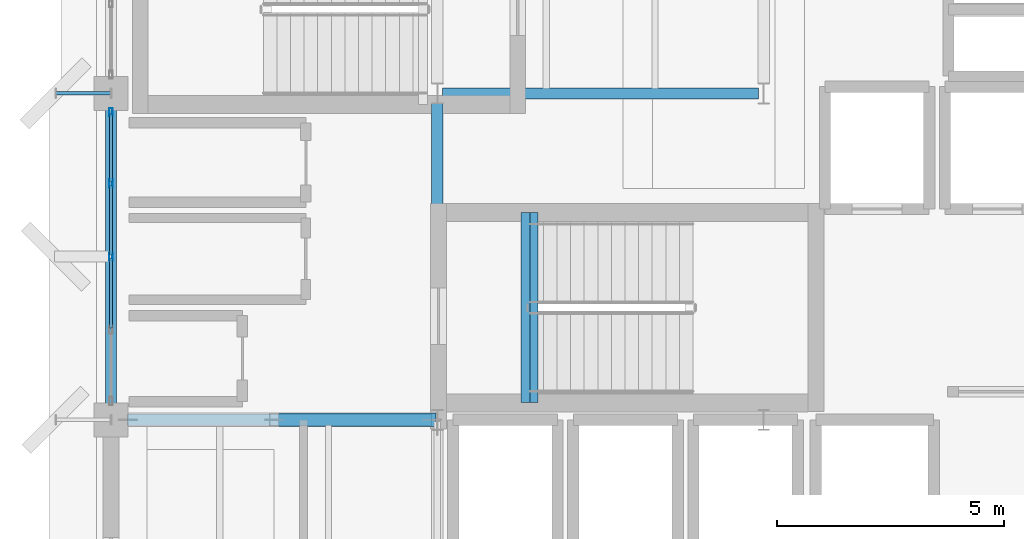
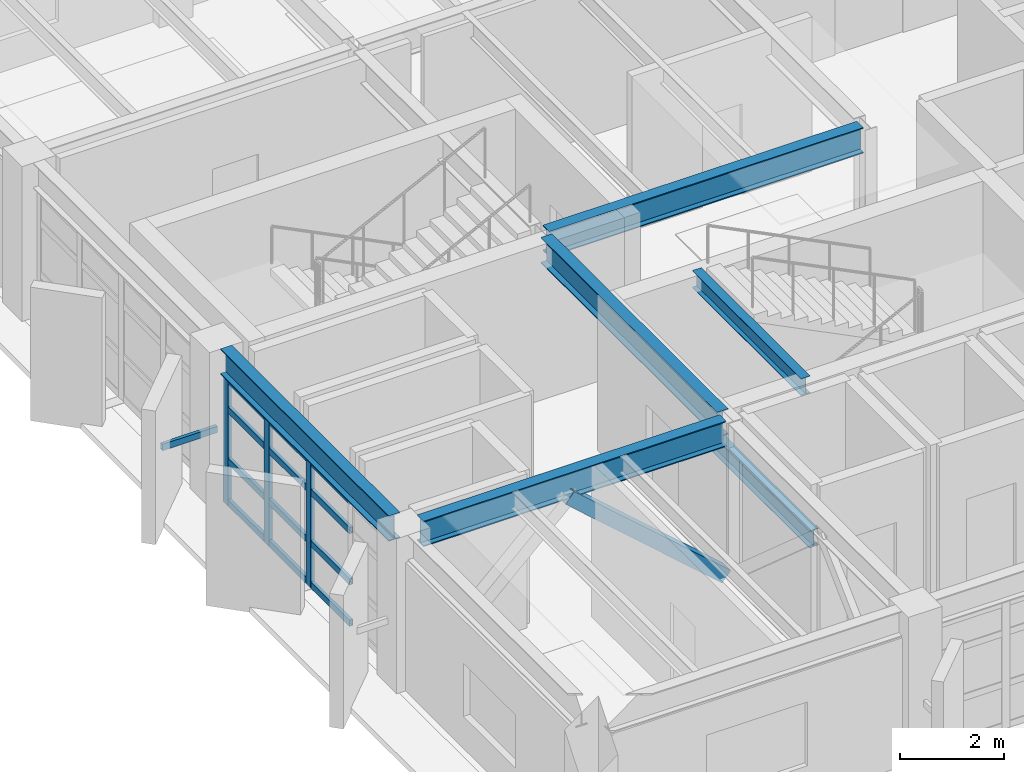
# One storey, part 6 of 48: 17 members, 6 beams, 1 element without a shape of its own.
"""IFC4 building model written with IfcOpenShell, lengths in metres."""

from ifc_helpers import new_model, si_unit, direction, frame, origin, origin_2d, place, context, subcontext, project, spatial, hollow_rectangle, i_section, extrude, material, layer, layer_set, material_profile, profile_set, type_object, element, aggregate, save


model = new_model("IFC4")

# Units and contexts
model_context = context("Model", 3, precision=1e-05, world=origin(), true_north=direction((0.0, 1.0)))
body_context = subcontext(model_context, "Body", "Model", "MODEL_VIEW")
ifc_project = project(units=[si_unit("LENGTHUNIT", "METRE"), si_unit("AREAUNIT", "SQUARE_METRE"), si_unit("VOLUMEUNIT", "CUBIC_METRE"), si_unit("PLANEANGLEUNIT", "RADIAN"), si_unit("MASSUNIT", "GRAM", prefix="KILO")], contexts=[model_context])

# Site, building, storey
site_placement = place(None, origin())
site = spatial("IfcSite", under=ifc_project, at=site_placement, CompositionType="ELEMENT")
building_placement = place(site_placement, origin())
building = spatial("IfcBuilding", under=site, at=building_placement, Name="Kandorven Conservatory and Botanical Research Centre", CompositionType="ELEMENT")
storey_placement = place(building_placement, frame((0.0, 0.0, 13.199951171875)))
storey = spatial("IfcBuildingStorey", under=building, at=storey_placement, Name="L03", CompositionType="ELEMENT", Elevation=13.199951171875)

# Beams
ifc_material_1 = material(Name="Steel S355 (IS 2062 E350)", Category="steel")
ifc_material_profile_1 = material_profile(ifc_material_1, i_section(OverallWidth=0.25, OverallDepth=0.60009765625, WebThickness=0.01171875, FlangeThickness=0.023681640625, at=origin_2d()))
ifc_profile_set_1 = profile_set([ifc_material_profile_1], Name="Steel S355 (IS 2062 E350)")
beam_type_1 = type_object("IfcBeamType", Name="Beam_FG-01", PredefinedType="USERDEFINED", material=ifc_profile_set_1)
beam_1_placement = place(storey_placement, frame((6.364990234375, 13.199951171875, 3.3349609375), z_axis=(1.0, 0.0, 0.0), x_axis=(0.0, 1.0, 0.0)))
element("IfcBeam", 1, at=beam_1_placement, inside=storey, type_object=beam_type_1, Name="Primary girder FG-01 TWR L03", ObjectType="GIRDER", PredefinedType="USERDEFINED", context=body_context, shape_type="SweptSolid", body=[
    extrude(i_section(OverallWidth=0.25, OverallDepth=0.60009765625, WebThickness=0.01171875, FlangeThickness=0.023681640625, at=origin_2d()), origin(), (0.0, 0.0, 1.0), 6.719970703125),
])
beam_2_placement = place(storey_placement, frame((13.31494140625, 20.39990234375, 3.3349609375), z_axis=(1.0, 0.0, 0.0), x_axis=(0.0, 1.0, 0.0)))
element("IfcBeam", 2, at=beam_2_placement, inside=storey, type_object=beam_type_1, Name="Primary girder FG-01 TWR L03", ObjectType="GIRDER", PredefinedType="USERDEFINED", context=body_context, shape_type="SweptSolid", body=[
    extrude(i_section(OverallWidth=0.25, OverallDepth=0.60009765625, WebThickness=0.01171875, FlangeThickness=0.023681640625, at=origin_2d()), origin(), (0.0, 0.0, 1.0), 6.969970703125),
])
beam_3_placement = place(storey_placement, frame((6.0, 13.56494140625, 3.3349609375), z_axis=(0.0, 1.0, 0.0), x_axis=(-1.0, 0.0, 0.0)))
element("IfcBeam", 3, at=beam_3_placement, inside=storey, type_object=beam_type_1, Name="Primary girder FG-01 TWR L03", ObjectType="GIRDER", PredefinedType="USERDEFINED", context=body_context, shape_type="SweptSolid", body=[
    extrude(i_section(OverallWidth=0.25, OverallDepth=0.60009765625, WebThickness=0.01171875, FlangeThickness=0.023681640625, at=origin_2d()), origin(), (0.0, 0.0, 1.0), 6.469970703125),
])
beam_4_placement = place(storey_placement, frame((13.199951171875, 13.4150390625, 3.3349609375), z_axis=(0.0, 1.0, 0.0), x_axis=(-1.0, 0.0, 0.0)))
element("IfcBeam", 4, at=beam_4_placement, inside=storey, type_object=beam_type_1, Name="Primary girder FG-01 TWR L03", ObjectType="GIRDER", PredefinedType="USERDEFINED", context=body_context, shape_type="SweptSolid", body=[
    extrude(i_section(OverallWidth=0.25, OverallDepth=0.60009765625, WebThickness=0.01171875, FlangeThickness=0.023681640625, at=origin_2d()), origin(), (0.0, 0.0, 1.0), 6.77001953125),
])
ifc_material_2 = material(Name="Steel S355 (IS 2062 E350)", Category="steel")
ifc_material_profile_2 = material_profile(ifc_material_2, i_section(OverallWidth=0.199951171875, OverallDepth=0.39990234375, WebThickness=0.008544921875, FlangeThickness=0.012939453125, at=origin_2d()))
ifc_profile_set_2 = profile_set([ifc_material_profile_2], Name="Steel S355 (IS 2062 E350)")
beam_type_2 = type_object("IfcBeamType", Name="Beam_FG-03", PredefinedType="USERDEFINED", material=ifc_profile_set_2)
for number, where, z_axis, x_axis, name in (
    (5, (15.320068359375, 13.580078125, -0.199951171875), (0.0, 1.0, 0.0), (-1.0, 0.0, 0.0), "Stair well bottom trimmer girder FG-03 ST-T1 L03"),
    (6, (15.139892578125, 13.580078125, 3.43505859375), (0.0, 1.0, 0.0), (-1.0, 0.0, 0.0), "Stair well top header girder FG-03 ST-T1 L03"),
):
    element("IfcBeam", number, at=place(storey_placement, frame(where, z_axis=z_axis, x_axis=x_axis)), inside=storey, type_object=beam_type_2, Name=name, ObjectType="GIRDER", PredefinedType="USERDEFINED", context=body_context, shape_type="SweptSolid", body=[
        extrude(i_section(OverallWidth=0.199951171875, OverallDepth=0.39990234375, WebThickness=0.008544921875, FlangeThickness=0.012939453125, at=origin_2d()), origin(), (0.0, 0.0, 1.0), 4.18994140625),
    ])

# Curtain wall, members
ifc_material_3 = material(Name="Bronze anodised thermally broken aluminium", Category="aluminium")
ifc_layer = layer(ifc_material_3, 0.179931640625)
ifc_layer_set = layer_set([ifc_layer], Name="Bronze anodised thermally broken aluminium")
curtain_wall_type = type_object("IfcCurtainWallType", Name="CW_Unitised", PredefinedType="USERDEFINED", material=ifc_layer_set)
curtain_wall_placement = place(storey_placement, origin())
curtain_wall = element("IfcCurtainWall", 7, at=curtain_wall_placement, inside=storey, type_object=curtain_wall_type, Name="Tower laboratory curtain wall CW-TWR-W-L03-2", ObjectType="UNITISED GLAZING", PredefinedType="USERDEFINED")
ifc_material_4 = material(Name="Bronze anodised thermally broken aluminium", Category="aluminium")
ifc_material_profile_3 = material_profile(ifc_material_4, hollow_rectangle(XDim=0.080078125, YDim=0.179931640625, WallThickness=0.006103515625, at=origin_2d()))
ifc_profile_set_3 = profile_set([ifc_material_profile_3], Name="Bronze anodised thermally broken aluminium")
member_type_1 = type_object("IfcMemberType", Name="CW_Mullion", PredefinedType="MULLION", material=ifc_profile_set_3)
member_1_placement = place(storey_placement, frame((6.0, 16.800048828125, 0.0), z_axis=(0.0, 0.0, 1.0), x_axis=(-1.0, 0.0, 0.0)))
member_1 = element("IfcMember", 8, at=member_1_placement, type_object=member_type_1, Name="CW-01 mullion 3", PredefinedType="MULLION", context=body_context, shape_type="SweptSolid", body=[
    extrude(hollow_rectangle(XDim=0.080078125, YDim=0.179931640625, WallThickness=0.006103515625, at=origin_2d()), origin(), (0.0, 0.0, 1.0), 3.01513671875),
])
member_2_placement = place(storey_placement, frame((6.0, 18.41259765625, 0.0), z_axis=(0.0, 0.0, 1.0), x_axis=(-1.0, 0.0, 0.0)))
member_2 = element("IfcMember", 9, at=member_2_placement, type_object=member_type_1, Name="CW-01 mullion 4", PredefinedType="MULLION", context=body_context, shape_type="SweptSolid", body=[
    extrude(hollow_rectangle(XDim=0.080078125, YDim=0.179931640625, WallThickness=0.006103515625, at=origin_2d()), origin(), (0.0, 0.0, 1.0), 3.01513671875),
])
member_3_placement = place(storey_placement, frame((6.0, 19.985107421875, 0.0), z_axis=(0.0, 0.0, 1.0), x_axis=(-1.0, 0.0, 0.0)))
member_3 = element("IfcMember", 10, at=member_3_placement, type_object=member_type_1, Name="CW-01 mullion 5", PredefinedType="MULLION", context=body_context, shape_type="SweptSolid", body=[
    extrude(hollow_rectangle(XDim=0.080078125, YDim=0.179931640625, WallThickness=0.006103515625, at=origin_2d()), origin(), (0.0, 0.0, 1.0), 3.01513671875),
])
ifc_material_5 = material(Name="Bronze anodised thermally broken aluminium", Category="aluminium")
ifc_material_profile_4 = material_profile(ifc_material_5, hollow_rectangle(XDim=0.074951171875, YDim=0.14990234375, WallThickness=0.006103515625, at=origin_2d()))
ifc_profile_set_4 = profile_set([ifc_material_profile_4], Name="Bronze anodised thermally broken aluminium")
member_type_2 = type_object("IfcMemberType", Name="CW_Transom", PredefinedType="USERDEFINED", material=ifc_profile_set_4)
member_4_placement = place(storey_placement, frame((6.0, 15.2275390625, 0.074951171875), z_axis=(0.0, 1.0, 0.0), x_axis=(-1.0, 0.0, 0.0)))
member_4 = element("IfcMember", 11, at=member_4_placement, type_object=member_type_2, Name="CW-01 transom 2.1", ObjectType="TRANSOM", PredefinedType="USERDEFINED", context=body_context, shape_type="SweptSolid", body=[
    extrude(hollow_rectangle(XDim=0.074951171875, YDim=0.14990234375, WallThickness=0.006103515625, at=origin_2d()), origin(), (0.0, 0.0, 1.0), 1.532470703125),
])
member_5_placement = place(storey_placement, frame((6.0, 15.2275390625, 1.050048828125), z_axis=(0.0, 1.0, 0.0), x_axis=(-1.0, 0.0, 0.0)))
member_5 = element("IfcMember", 12, at=member_5_placement, type_object=member_type_2, Name="CW-01 transom 2.2", ObjectType="TRANSOM", PredefinedType="USERDEFINED", context=body_context, shape_type="SweptSolid", body=[
    extrude(hollow_rectangle(XDim=0.074951171875, YDim=0.14990234375, WallThickness=0.006103515625, at=origin_2d()), origin(), (0.0, 0.0, 1.0), 1.532470703125),
])
member_6_placement = place(storey_placement, frame((6.0, 15.2275390625, 2.25), z_axis=(0.0, 1.0, 0.0), x_axis=(-1.0, 0.0, 0.0)))
member_6 = element("IfcMember", 13, at=member_6_placement, type_object=member_type_2, Name="CW-01 transom 2.3", ObjectType="TRANSOM", PredefinedType="USERDEFINED", context=body_context, shape_type="SweptSolid", body=[
    extrude(hollow_rectangle(XDim=0.074951171875, YDim=0.14990234375, WallThickness=0.006103515625, at=origin_2d()), origin(), (0.0, 0.0, 1.0), 1.532470703125),
])
member_7_placement = place(storey_placement, frame((6.0, 15.2275390625, 2.93994140625), z_axis=(0.0, 1.0, 0.0), x_axis=(-1.0, 0.0, 0.0)))
member_7 = element("IfcMember", 14, at=member_7_placement, type_object=member_type_2, Name="CW-01 transom 2.4", ObjectType="TRANSOM", PredefinedType="USERDEFINED", context=body_context, shape_type="SweptSolid", body=[
    extrude(hollow_rectangle(XDim=0.074951171875, YDim=0.14990234375, WallThickness=0.006103515625, at=origin_2d()), origin(), (0.0, 0.0, 1.0), 1.532470703125),
])
member_8_placement = place(storey_placement, frame((6.0, 16.840087890625, 0.074951171875), z_axis=(0.0, 1.0, 0.0), x_axis=(-1.0, 0.0, 0.0)))
member_8 = element("IfcMember", 15, at=member_8_placement, type_object=member_type_2, Name="CW-01 transom 3.1", ObjectType="TRANSOM", PredefinedType="USERDEFINED", context=body_context, shape_type="SweptSolid", body=[
    extrude(hollow_rectangle(XDim=0.074951171875, YDim=0.14990234375, WallThickness=0.006103515625, at=origin_2d()), origin(), (0.0, 0.0, 1.0), 1.532470703125),
])
member_9_placement = place(storey_placement, frame((6.0, 16.840087890625, 1.050048828125), z_axis=(0.0, 1.0, 0.0), x_axis=(-1.0, 0.0, 0.0)))
member_9 = element("IfcMember", 16, at=member_9_placement, type_object=member_type_2, Name="CW-01 transom 3.2", ObjectType="TRANSOM", PredefinedType="USERDEFINED", context=body_context, shape_type="SweptSolid", body=[
    extrude(hollow_rectangle(XDim=0.074951171875, YDim=0.14990234375, WallThickness=0.006103515625, at=origin_2d()), origin(), (0.0, 0.0, 1.0), 1.532470703125),
])
member_10_placement = place(storey_placement, frame((6.0, 16.840087890625, 2.25), z_axis=(0.0, 1.0, 0.0), x_axis=(-1.0, 0.0, 0.0)))
member_10 = element("IfcMember", 17, at=member_10_placement, type_object=member_type_2, Name="CW-01 transom 3.3", ObjectType="TRANSOM", PredefinedType="USERDEFINED", context=body_context, shape_type="SweptSolid", body=[
    extrude(hollow_rectangle(XDim=0.074951171875, YDim=0.14990234375, WallThickness=0.006103515625, at=origin_2d()), origin(), (0.0, 0.0, 1.0), 1.532470703125),
])
member_11_placement = place(storey_placement, frame((6.0, 16.840087890625, 2.93994140625), z_axis=(0.0, 1.0, 0.0), x_axis=(-1.0, 0.0, 0.0)))
member_11 = element("IfcMember", 18, at=member_11_placement, type_object=member_type_2, Name="CW-01 transom 3.4", ObjectType="TRANSOM", PredefinedType="USERDEFINED", context=body_context, shape_type="SweptSolid", body=[
    extrude(hollow_rectangle(XDim=0.074951171875, YDim=0.14990234375, WallThickness=0.006103515625, at=origin_2d()), origin(), (0.0, 0.0, 1.0), 1.532470703125),
])
member_12_placement = place(storey_placement, frame((6.0, 18.452392578125, 0.074951171875), z_axis=(0.0, 1.0, 0.0), x_axis=(-1.0, 0.0, 0.0)))
member_12 = element("IfcMember", 19, at=member_12_placement, type_object=member_type_2, Name="CW-01 transom 4.1", ObjectType="TRANSOM", PredefinedType="USERDEFINED", context=body_context, shape_type="SweptSolid", body=[
    extrude(hollow_rectangle(XDim=0.074951171875, YDim=0.14990234375, WallThickness=0.006103515625, at=origin_2d()), origin(), (0.0, 0.0, 1.0), 1.49267578125),
])
member_13_placement = place(storey_placement, frame((6.0, 18.452392578125, 1.050048828125), z_axis=(0.0, 1.0, 0.0), x_axis=(-1.0, 0.0, 0.0)))
member_13 = element("IfcMember", 20, at=member_13_placement, type_object=member_type_2, Name="CW-01 transom 4.2", ObjectType="TRANSOM", PredefinedType="USERDEFINED", context=body_context, shape_type="SweptSolid", body=[
    extrude(hollow_rectangle(XDim=0.074951171875, YDim=0.14990234375, WallThickness=0.006103515625, at=origin_2d()), origin(), (0.0, 0.0, 1.0), 1.49267578125),
])
member_14_placement = place(storey_placement, frame((6.0, 18.452392578125, 2.25), z_axis=(0.0, 1.0, 0.0), x_axis=(-1.0, 0.0, 0.0)))
member_14 = element("IfcMember", 21, at=member_14_placement, type_object=member_type_2, Name="CW-01 transom 4.3", ObjectType="TRANSOM", PredefinedType="USERDEFINED", context=body_context, shape_type="SweptSolid", body=[
    extrude(hollow_rectangle(XDim=0.074951171875, YDim=0.14990234375, WallThickness=0.006103515625, at=origin_2d()), origin(), (0.0, 0.0, 1.0), 1.49267578125),
])
member_15_placement = place(storey_placement, frame((6.0, 18.452392578125, 2.93994140625), z_axis=(0.0, 1.0, 0.0), x_axis=(-1.0, 0.0, 0.0)))
member_15 = element("IfcMember", 22, at=member_15_placement, type_object=member_type_2, Name="CW-01 transom 4.4", ObjectType="TRANSOM", PredefinedType="USERDEFINED", context=body_context, shape_type="SweptSolid", body=[
    extrude(hollow_rectangle(XDim=0.074951171875, YDim=0.14990234375, WallThickness=0.006103515625, at=origin_2d()), origin(), (0.0, 0.0, 1.0), 1.49267578125),
])
aggregate(curtain_wall, [member_1, member_2, member_3, member_4, member_5, member_6, member_7, member_8, member_9, member_10, member_11, member_12, member_13, member_14, member_15])

# Members
ifc_material_6 = material(Name="Steel S355 (IS 2062 E350)", Category="steel")
ifc_material_profile_5 = material_profile(ifc_material_6, hollow_rectangle(XDim=0.300048828125, YDim=0.300048828125, WallThickness=0.01611328125, at=origin_2d()))
ifc_profile_set_5 = profile_set([ifc_material_profile_5], Name="Steel S355 (IS 2062 E350)")
member_type_3 = type_object("IfcMemberType", Name="Mem_BR-01", PredefinedType="BRACE", material=ifc_profile_set_5)
member_16_placement = place(storey_placement, frame((13.074951171875, 13.199951171875, 0.0), z_axis=(-0.749956245168, 0.0, 0.661487437774), x_axis=(0.0, -1.0, 0.0)))
element("IfcMember", 23, at=member_16_placement, inside=storey, type_object=member_type_3, Name="Tower lateral chevron brace BR-01 L03 E", PredefinedType="BRACE", context=body_context, shape_type="SweptSolid", body=[
    extrude(hollow_rectangle(XDim=0.300048828125, YDim=0.300048828125, WallThickness=0.01611328125, at=origin_2d()), origin(), (0.0, 0.0, 1.0), 4.63330078125),
])
ifc_material_7 = material(Name="Steel S355 (IS 2062 E350)", Category="steel")
ifc_material_profile_6 = material_profile(ifc_material_7, hollow_rectangle(XDim=0.074951171875, YDim=0.14990234375, WallThickness=0.006103515625, at=origin_2d()))
ifc_profile_set_6 = profile_set([ifc_material_profile_6], Name="Steel S355 (IS 2062 E350)")
member_type_4 = type_object("IfcMemberType", Name="Mem_SF-01", PredefinedType="STRUT", material=ifc_profile_set_6)
member_17_placement = place(storey_placement, frame((6.0, 20.39990234375, 1.5), z_axis=(-1.0, 0.0, 0.0), x_axis=(0.0, -1.0, 0.0)))
element("IfcMember", 24, at=member_17_placement, inside=storey, type_object=member_type_4, Name="Solar fin steel outrigger strut SF-01 #29", PredefinedType="STRUT", context=body_context, shape_type="SweptSolid", body=[
    extrude(hollow_rectangle(XDim=0.074951171875, YDim=0.14990234375, WallThickness=0.006103515625, at=origin_2d()), origin(), (0.0, 0.0, 1.0), 1.219970703125),
])

save(model, "model.ifc")
